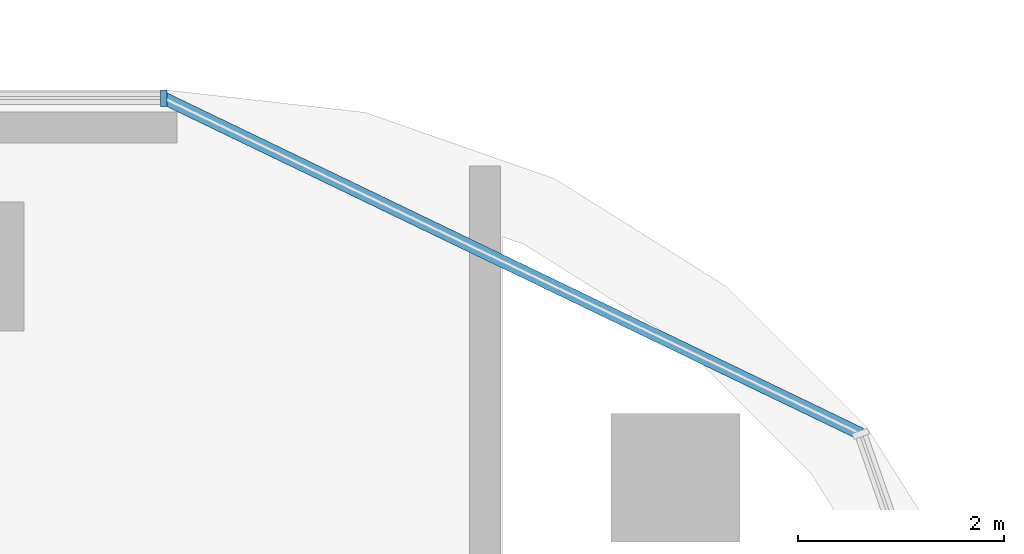
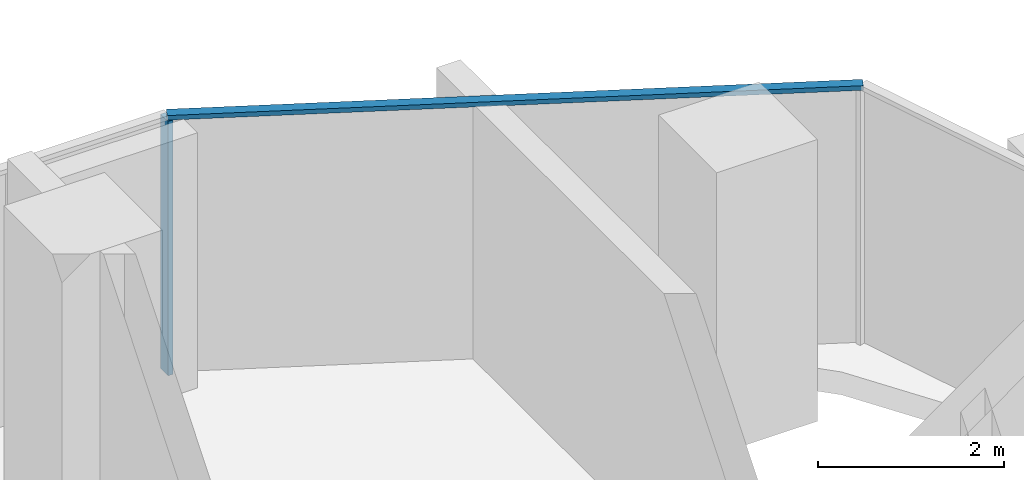
# One storey, part 5 of 22: 2 members, 2 elements without a shape of their own.
"""IFC4 building model written with IfcOpenShell, lengths in metres."""

from ifc_helpers import new_model, si_unit, direction, frame, origin, origin_2d, place, context, subcontext, project, spatial, rectangle, extrude, material, material_profile, profile_set, type_object, element, aggregate, save


model = new_model("IFC4")

# Units and contexts
model_context = context("Model", 3, precision=1e-05, world=origin(), true_north=direction((0.0, 1.0)))
body_context = subcontext(model_context, "Body", "Model", "MODEL_VIEW")
ifc_project = project(units=[si_unit("LENGTHUNIT", "METRE"), si_unit("AREAUNIT", "SQUARE_METRE"), si_unit("VOLUMEUNIT", "CUBIC_METRE"), si_unit("PLANEANGLEUNIT", "RADIAN"), si_unit("MASSUNIT", "GRAM", prefix="KILO")], contexts=[model_context])

# Site, building, storey
site_placement = place(None, origin())
site = spatial("IfcSite", under=ifc_project, at=site_placement, CompositionType="ELEMENT")
building_placement = place(site_placement, origin())
building = spatial("IfcBuilding", under=site, at=building_placement, Name="Ogive Portal Towers", CompositionType="ELEMENT")
storey_placement = place(building_placement, frame((0.0, 0.0, 131.5)))
storey = spatial("IfcBuildingStorey", under=building, at=storey_placement, Name="L32", CompositionType="ELEMENT", Elevation=131.5)

# Curtain wall, member
ifc_material_1 = material(Name="Glass, clear low-iron insulated glazing", Category="glass")
curtain_wall_type = type_object("IfcCurtainWallType", Name="CW FRONT RIBBON 4500", PredefinedType="NOTDEFINED", material=ifc_material_1)
curtain_wall_1_placement = place(storey_placement, origin())
curtain_wall_1 = element("IfcCurtainWall", 1, at=curtain_wall_1_placement, inside=storey, type_object=curtain_wall_type, Name="A:L32:f13:cw0", PredefinedType="NOTDEFINED")
ifc_material_2 = material(Name="Aluminium 6063 anodised", Category="aluminium")
ifc_material_profile_1 = material_profile(ifc_material_2, rectangle(XDim=0.159912109375, YDim=0.06005859375, at=origin_2d()), Name="AL 60x160")
ifc_profile_set_1 = profile_set([ifc_material_profile_1], Name="Aluminium 6063 anodised")
member_type_1 = type_object("IfcMemberType", Name="CW MULLION 60x160", PredefinedType="MULLION", material=ifc_profile_set_1)
member_1_placement = place(storey_placement, frame((87.481689453125, 41.135009765625, 0.0), z_axis=(0.0, 0.0, 1.0), x_axis=(0.0, -1.0, 0.0)))
member_1 = element("IfcMember", 2, at=member_1_placement, type_object=member_type_1, Name="mullion", PredefinedType="MULLION", context=body_context, shape_type="SweptSolid", body=[
    extrude(rectangle(XDim=0.159912109375, YDim=0.06005859375, at=origin_2d()), origin(), (0.0, 0.0, 1.0), 3.340087890625),
])
aggregate(curtain_wall_1, [member_1])

curtain_wall_2_placement = place(storey_placement, origin())
curtain_wall_2 = element("IfcCurtainWall", 3, at=curtain_wall_2_placement, inside=storey, type_object=curtain_wall_type, Name="A:L32:f11:cwa", PredefinedType="NOTDEFINED")
ifc_material_profile_2 = material_profile(ifc_material_2, rectangle(XDim=0.1201171875, YDim=0.06005859375, at=origin_2d()), Name="AL 120x60")
ifc_profile_set_2 = profile_set([ifc_material_profile_2], Name="Aluminium 6063 anodised")
member_type_2 = type_object("IfcMemberType", Name="CW TRANSOM 60x120", PredefinedType="USERDEFINED", material=ifc_profile_set_2)
member_2_placement = place(storey_placement, frame((94.2490234375, 37.8759765625, 3.3701171875), z_axis=(-0.900965905554, 0.433889890445, 0.0), x_axis=(-0.433889890445, -0.900965905554, 0.0)))
member_2 = element("IfcMember", 4, at=member_2_placement, type_object=member_type_2, Name="transom", ObjectType="TRANSOM", PredefinedType="USERDEFINED", context=body_context, shape_type="SweptSolid", body=[
    extrude(rectangle(XDim=0.1201171875, YDim=0.06005859375, at=origin_2d()), origin(), (0.0, 0.0, 1.0), 7.51123046875),
])
aggregate(curtain_wall_2, [member_2])

save(model, "model.ifc")
